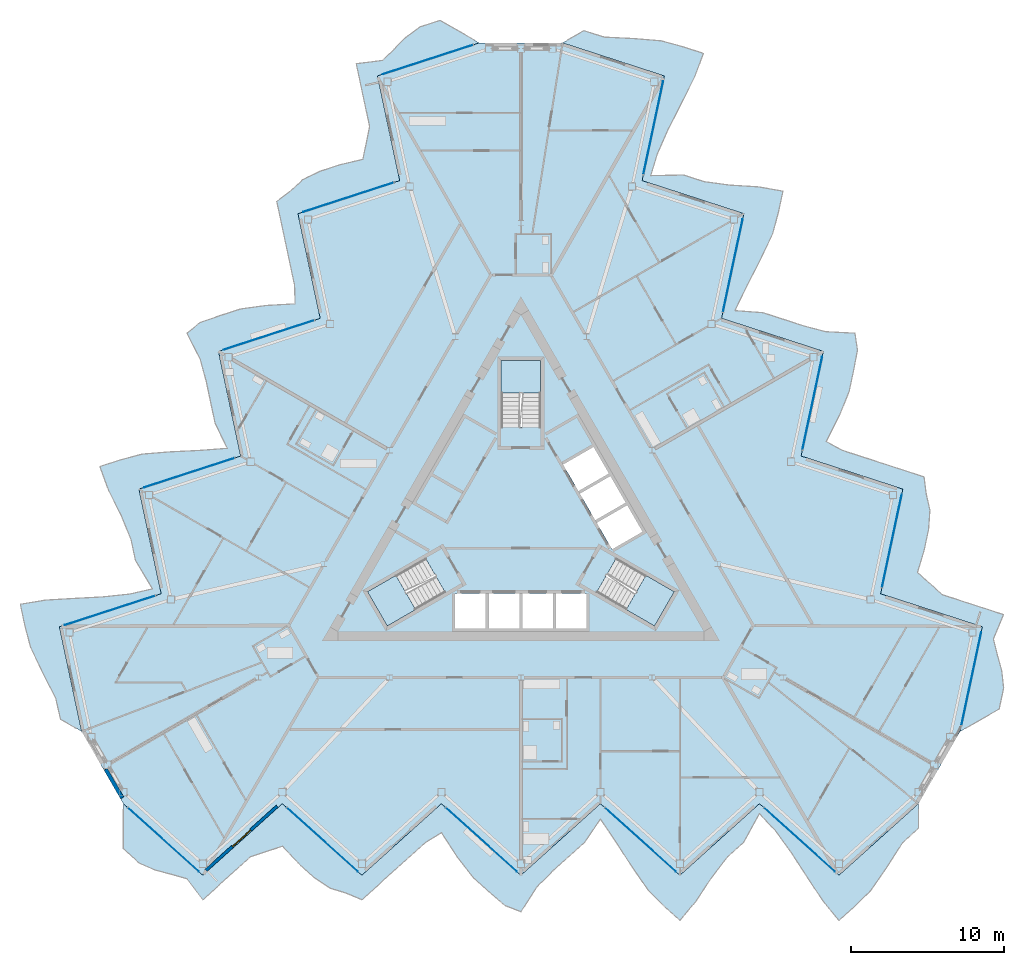
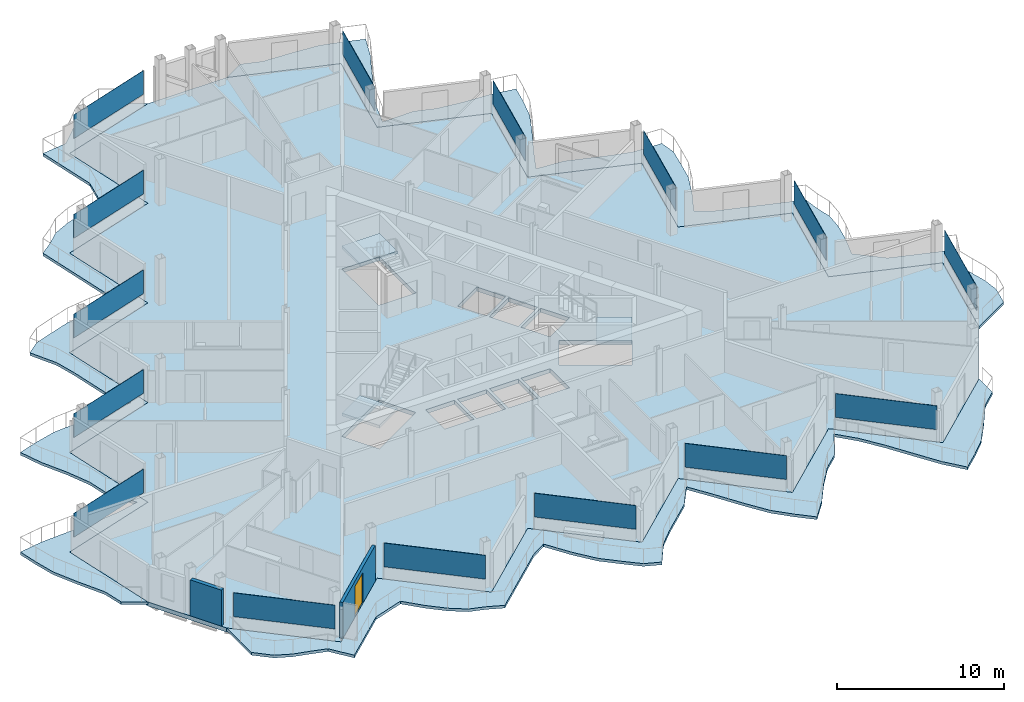
# One storey, part 11 of 26: 15 plates, 7 slabs, 2 walls, 1 door, 1 opening, 18 elements without a shape of their own.
"""IFC4 building model written with IfcOpenShell, lengths in metres."""

from ifc_helpers import new_model, si_unit, direction, frame, frame_2d, origin, origin_2d, place, context, subcontext, project, spatial, polyline, rectangle, outline, extrude, material, layer, layer_set, type_object, element, fill, aggregate, save


model = new_model("IFC4")

# Units and contexts
model_context = context("Model", 3, precision=1e-05, world=origin(), true_north=direction((0.0, 1.0)))
body_context = subcontext(model_context, "Body", "Model", "MODEL_VIEW")
ifc_project = project(units=[si_unit("LENGTHUNIT", "METRE"), si_unit("AREAUNIT", "SQUARE_METRE"), si_unit("VOLUMEUNIT", "CUBIC_METRE"), si_unit("PLANEANGLEUNIT", "RADIAN"), si_unit("MASSUNIT", "GRAM", prefix="KILO")], contexts=[model_context])

# Site, building, storey
site_placement = place(None, origin())
site = spatial("IfcSite", under=ifc_project, at=site_placement, CompositionType="ELEMENT")
building_placement = place(site_placement, origin())
building = spatial("IfcBuilding", under=site, at=building_placement, Name="Cormorant Prow Tower", CompositionType="ELEMENT")
storey_placement = place(building_placement, frame((0.0, 0.0, 367.800048828125)))
storey = spatial("IfcBuildingStorey", under=building, at=storey_placement, Name="L82", CompositionType="ELEMENT", Elevation=367.800048828125)

# Slabs
ifc_material_1 = material(Name="Concrete C40/50", Category="concrete")
ifc_layer_1 = layer(ifc_material_1, 0.199951171875)
ifc_layer_set_1 = layer_set([ifc_layer_1], Name="Concrete C40/50")
slab_type_1 = type_object("IfcSlabType", Name="Balcony slab 200", PredefinedType="FLOOR", material=ifc_layer_set_1)
slab_1_placement = place(storey_placement, frame((0.0, 0.0, -0.199951171875)))
element("IfcSlab", 1, at=slab_1_placement, inside=storey, type_object=slab_type_1, Name="Balcony slab S L82", PredefinedType="FLOOR", context=body_context, shape_type="SweptSolid", body=[
    extrude(outline(polyline([(-26.0, -18.1572265625), (-26.0, -21.107421875), (-24.9599609375, -22.043701171875), (-23.919921875, -22.498046875), (-22.8798828125, -22.769287109375), (-21.840087890625, -23.069091796875), (-20.800048828125, -24.439453125), (-19.760009765625, -23.5029296875), (-18.719970703125, -22.566650390625), (-17.679931640625, -21.630126953125), (-16.639892578125, -21.283203125), (-15.60009765625, -20.939453125), (-14.56005859375, -22.043701171875), (-13.52001953125, -22.980224609375), (-12.47998046875, -23.68115234375), (-11.43994140625, -24.002197265625), (-10.39990234375, -24.439453125), (-9.360107421875, -23.5029296875), (-8.320068359375, -22.566650390625), (-7.280029296875, -21.630126953125), (-6.239990234375, -20.69384765625), (-5.199951171875, -20.052001953125), (-4.159912109375, -21.64208984375), (-3.1201171875, -22.980224609375), (-2.080078125, -23.91650390625), (-1.0400390625, -24.818115234375), (0.0, -25.223876953125), (1.0400390625, -23.6142578125), (2.080078125, -22.566650390625), (3.1201171875, -21.630126953125), (4.159912109375, -20.69384765625), (5.199951171875, -19.167724609375), (6.239990234375, -20.69384765625), (7.280029296875, -22.308349609375), (8.320068359375, -23.811279296875), (9.360107421875, -24.85302734375), (10.39990234375, -25.78955078125), (11.43994140625, -24.54541015625), (12.47998046875, -22.974609375), (13.52001953125, -21.630126953125), (14.56005859375, -20.69384765625), (15.60009765625, -18.807373046875), (16.639892578125, -19.92236328125), (17.679931640625, -21.352783203125), (18.719970703125, -22.953369140625), (19.760009765625, -24.5283203125), (20.800048828125, -25.78955078125), (21.840087890625, -24.85302734375), (22.8798828125, -23.8251953125), (23.919921875, -22.32861328125), (24.9599609375, -20.714599609375), (26.0, -19.75732421875), (26.0, -18.1572265625), (24.9599609375, -19.09375), (23.919921875, -20.0302734375), (22.8798828125, -20.966552734375), (21.840087890625, -21.903076171875), (20.800048828125, -22.83935546875), (19.760009765625, -21.903076171875), (18.719970703125, -20.966552734375), (17.679931640625, -20.0302734375), (16.639892578125, -19.09375), (15.60009765625, -18.1572265625), (14.56005859375, -19.09375), (13.52001953125, -20.0302734375), (12.47998046875, -20.966552734375), (11.43994140625, -21.903076171875), (10.39990234375, -22.83935546875), (9.360107421875, -21.903076171875), (8.320068359375, -20.966552734375), (7.280029296875, -20.0302734375), (6.239990234375, -19.09375), (5.199951171875, -18.1572265625), (4.159912109375, -19.09375), (3.1201171875, -20.0302734375), (2.080078125, -20.966552734375), (1.0400390625, -21.903076171875), (0.0, -22.83935546875), (-1.0400390625, -21.903076171875), (-2.080078125, -20.966552734375), (-3.1201171875, -20.0302734375), (-4.159912109375, -19.09375), (-5.199951171875, -18.1572265625), (-6.239990234375, -19.09375), (-7.280029296875, -20.0302734375), (-8.320068359375, -20.966552734375), (-9.360107421875, -21.903076171875), (-10.39990234375, -22.83935546875), (-11.43994140625, -21.903076171875), (-12.47998046875, -20.966552734375), (-13.52001953125, -20.0302734375), (-14.56005859375, -19.09375), (-15.60009765625, -18.1572265625), (-16.639892578125, -19.09375), (-17.679931640625, -20.0302734375), (-18.719970703125, -20.966552734375), (-19.760009765625, -21.903076171875), (-20.800048828125, -22.83935546875), (-21.840087890625, -21.903076171875), (-22.8798828125, -20.966552734375), (-23.919921875, -20.0302734375), (-24.9599609375, -19.09375), (-26.0, -18.1572265625)])), origin(), (0.0, 0.0, 1.0), 0.199951171875),
])
slab_2_placement = place(storey_placement, frame((0.0, 0.0, -0.199951171875)))
element("IfcSlab", 2, at=slab_2_placement, inside=storey, type_object=slab_type_1, Name="Balcony slab ENE L82", PredefinedType="FLOOR", context=body_context, shape_type="SweptSolid", body=[
    extrude(outline(polyline([(28.724609375, -13.43798828125), (31.279541015625, -11.962890625), (31.570556640625, -10.593994140625), (31.44384765625, -9.46630859375), (31.158935546875, -8.429931640625), (30.8984375, -7.37939453125), (31.565185546875, -5.793701171875), (30.234130859375, -5.361083984375), (28.9033203125, -4.9287109375), (27.572265625, -4.496337890625), (26.751708984375, -3.76904296875), (25.93408203125, -3.040283203125), (26.370361328125, -1.58740234375), (26.661376953125, -0.218505859375), (26.748291015625, 1.032470703125), (26.506591796875, 2.09375), (26.365234375, 3.213134765625), (25.0341796875, 3.6455078125), (23.703369140625, 4.077880859375), (22.372314453125, 4.510498046875), (21.041259765625, 4.94287109375), (19.965576171875, 5.522705078125), (20.822509765625, 7.218505859375), (21.46142578125, 8.7880859375), (21.75244140625, 10.156982421875), (22.012939453125, 11.50830078125), (21.844482421875, 12.612060546875), (19.9306640625, 12.707763671875), (18.503173828125, 13.084716796875), (17.17236328125, 13.51708984375), (15.84130859375, 13.949462890625), (13.999755859375, 14.087158203125), (14.801513671875, 15.7509765625), (15.6796875, 17.458740234375), (16.461181640625, 19.111083984375), (16.84326171875, 20.532470703125), (17.13427734375, 21.9013671875), (15.537109375, 22.18017578125), (13.656494140625, 22.295166015625), (11.972412109375, 22.523681640625), (10.641357421875, 22.956298828125), (8.48779296875, 22.91357421875), (8.93310546875, 24.371826171875), (9.652099609375, 25.98779296875), (10.51806640625, 27.688720703125), (11.362060546875, 29.376708984375), (11.934326171875, 30.907958984375), (10.603271484375, 31.340576171875), (9.193115234375, 31.727294921875), (7.377197265625, 31.879638671875), (5.45947265625, 31.973388671875), (4.1103515625, 32.395263671875), (2.724609375, 31.59521484375), (4.0556640625, 31.162841796875), (5.38671875, 30.73046875), (6.717529296875, 30.2978515625), (8.048583984375, 29.865478515625), (9.379638671875, 29.43310546875), (9.088623046875, 28.064208984375), (8.797607421875, 26.6953125), (8.506591796875, 25.326416015625), (8.215576171875, 23.95751953125), (7.9248046875, 22.588623046875), (9.255615234375, 22.15625), (10.586669921875, 21.723876953125), (11.917724609375, 21.291259765625), (13.24853515625, 20.85888671875), (14.57958984375, 20.42626953125), (14.28857421875, 19.0576171875), (13.99755859375, 17.688720703125), (13.70654296875, 16.31982421875), (13.415771484375, 14.950927734375), (13.124755859375, 13.58203125), (14.45556640625, 13.149658203125), (15.78662109375, 12.717041015625), (17.11767578125, 12.28466796875), (18.448486328125, 11.852294921875), (19.779541015625, 11.419677734375), (19.488525390625, 10.05078125), (19.197509765625, 8.681884765625), (18.90673828125, 7.31298828125), (18.61572265625, 5.9443359375), (18.32470703125, 4.575439453125), (19.65576171875, 4.142822265625), (20.986572265625, 3.71044921875), (22.317626953125, 3.278076171875), (23.648681640625, 2.845458984375), (24.9794921875, 2.4130859375), (24.6884765625, 1.044189453125), (24.397705078125, -0.32470703125), (24.106689453125, -1.693603515625), (23.815673828125, -3.0625), (23.524658203125, -4.431396484375), (24.855712890625, -4.86376953125), (26.186767578125, -5.296142578125), (27.517578125, -5.728759765625), (28.8486328125, -6.1611328125), (30.179443359375, -6.593505859375), (29.888671875, -7.96240234375), (29.59765625, -9.331298828125), (29.306640625, -10.7001953125), (29.015625, -12.069091796875), (28.724609375, -13.43798828125)])), origin(), (0.0, 0.0, 1.0), 0.199951171875),
])
slab_3_placement = place(storey_placement, frame((0.0, 0.0, -0.199951171875)))
element("IfcSlab", 3, at=slab_3_placement, inside=storey, type_object=slab_type_1, Name="Balcony slab WNW L82", PredefinedType="FLOOR", context=body_context, shape_type="SweptSolid", body=[
    extrude(outline(polyline([(-2.724609375, 31.59521484375), (-5.279541015625, 33.0703125), (-6.6103515625, 32.637939453125), (-7.52392578125, 31.96435546875), (-8.27880859375, 31.19921875), (-9.05859375, 30.448486328125), (-10.76513671875, 30.233154296875), (-10.47412109375, 28.8642578125), (-10.183349609375, 27.495361328125), (-9.892333984375, 26.12646484375), (-10.11181640625, 25.05224609375), (-10.333984375, 23.979736328125), (-11.810546875, 23.631103515625), (-13.141357421875, 23.19873046875), (-14.268310546875, 22.6484375), (-15.066650390625, 21.908447265625), (-15.965087890625, 21.226318359375), (-15.67431640625, 19.857421875), (-15.38330078125, 18.488525390625), (-15.09228515625, 17.119873046875), (-14.80126953125, 15.7509765625), (-14.765625, 14.529296875), (-16.66259765625, 14.423828125), (-18.34130859375, 14.192138671875), (-19.67236328125, 13.759521484375), (-20.97314453125, 13.3095703125), (-21.844482421875, 12.612060546875), (-20.970703125, 10.906494140625), (-20.583251953125, 9.48193359375), (-20.292236328125, 8.113037109375), (-20.001220703125, 6.744140625), (-19.199951171875, 5.08056640625), (-21.04150390625, 4.94287109375), (-22.959716796875, 4.849609375), (-24.78125, 4.700439453125), (-26.203369140625, 4.320556640625), (-27.534423828125, 3.887939453125), (-26.97705078125, 2.365478515625), (-26.136474609375, 0.67919921875), (-25.4921875, -0.8935546875), (-25.201416015625, -2.262451171875), (-24.087646484375, -4.106201171875), (-25.5732421875, -4.449462890625), (-27.33203125, -4.635009765625), (-29.238037109375, -4.7353515625), (-31.1220703125, -4.8486328125), (-32.734375, -5.11865234375), (-32.443359375, -6.487548828125), (-32.0732421875, -7.902099609375), (-31.297119140625, -9.551025390625), (-30.41943359375, -11.2587890625), (-30.1103515625, -12.637939453125), (-28.724609375, -13.43798828125), (-29.015625, -12.069091796875), (-29.306640625, -10.7001953125), (-29.59765625, -9.331298828125), (-29.888671875, -7.96240234375), (-30.179443359375, -6.593505859375), (-28.8486328125, -6.1611328125), (-27.517578125, -5.728759765625), (-26.186767578125, -5.296142578125), (-24.855712890625, -4.86376953125), (-23.524658203125, -4.431396484375), (-23.815673828125, -3.0625), (-24.106689453125, -1.693603515625), (-24.397705078125, -0.32470703125), (-24.6884765625, 1.044189453125), (-24.9794921875, 2.4130859375), (-23.648681640625, 2.845458984375), (-22.317626953125, 3.278076171875), (-20.986572265625, 3.71044921875), (-19.65576171875, 4.142822265625), (-18.32470703125, 4.575439453125), (-18.61572265625, 5.9443359375), (-18.90673828125, 7.31298828125), (-19.197509765625, 8.681884765625), (-19.488525390625, 10.05078125), (-19.779541015625, 11.419677734375), (-18.448486328125, 11.852294921875), (-17.11767578125, 12.28466796875), (-15.78662109375, 12.717041015625), (-14.45556640625, 13.149658203125), (-13.124755859375, 13.58203125), (-13.415771484375, 14.950927734375), (-13.70654296875, 16.31982421875), (-13.99755859375, 17.688720703125), (-14.28857421875, 19.0576171875), (-14.57958984375, 20.42626953125), (-13.24853515625, 20.85888671875), (-11.917724609375, 21.291259765625), (-10.586669921875, 21.723876953125), (-9.255615234375, 22.15625), (-7.9248046875, 22.588623046875), (-8.215576171875, 23.95751953125), (-8.506591796875, 25.326416015625), (-8.797607421875, 26.6953125), (-9.088623046875, 28.064208984375), (-9.379638671875, 29.43310546875), (-8.048583984375, 29.865478515625), (-6.717529296875, 30.2978515625), (-5.38671875, 30.73046875), (-4.0556640625, 31.162841796875), (-2.724609375, 31.59521484375)])), origin(), (0.0, 0.0, 1.0), 0.199951171875),
])
ifc_material_2 = material(Name="Concrete C40/50", Category="concrete")
ifc_layer_2 = layer(ifc_material_2, 0.300048828125)
ifc_layer_set_2 = layer_set([ifc_layer_2], Name="Concrete C40/50")
slab_type_2 = type_object("IfcSlabType", Name="Post-tensioned flat slab 300", PredefinedType="FLOOR", material=ifc_layer_set_2)
slab_4_placement = place(storey_placement, frame((0.0, 0.0, -0.300048828125)))
element("IfcSlab", 4, at=slab_4_placement, inside=storey, type_object=slab_type_2, Name="Floor slab L82", PredefinedType="FLOOR", context=body_context, shape_type="SweptSolid", body=[
    extrude(outline(polyline([(-7.9248046875, 22.588623046875), (-14.57958984375, 20.42626953125), (-13.124755859375, 13.58203125), (-19.779541015625, 11.419677734375), (-18.32470703125, 4.575439453125), (-24.9794921875, 2.4130859375), (-23.524658203125, -4.431396484375), (-30.179443359375, -6.593505859375), (-28.724609375, -13.43798828125), (-27.3623046875, -15.797607421875), (-26.0, -18.1572265625), (-20.800048828125, -22.83935546875), (-15.60009765625, -18.1572265625), (-10.39990234375, -22.83935546875), (-5.199951171875, -18.1572265625), (0.0, -22.83935546875), (5.199951171875, -18.1572265625), (10.39990234375, -22.83935546875), (15.60009765625, -18.1572265625), (20.800048828125, -22.83935546875), (26.0, -18.1572265625), (27.3623046875, -15.797607421875), (28.724609375, -13.43798828125), (30.179443359375, -6.593505859375), (23.524658203125, -4.431396484375), (24.9794921875, 2.4130859375), (18.32470703125, 4.575439453125), (19.779541015625, 11.419677734375), (13.124755859375, 13.58203125), (14.57958984375, 20.42626953125), (7.9248046875, 22.588623046875), (9.379638671875, 29.43310546875), (2.724609375, 31.59521484375), (0.0, 31.59521484375), (-2.724609375, 31.59521484375), (-9.379638671875, 29.43310546875), (-7.9248046875, 22.588623046875)]), holes=[polyline([(-4.300048828125, -4.39990234375), (-2.300048828125, -4.39990234375), (-2.300048828125, -6.699951171875), (-4.300048828125, -6.699951171875), (-4.300048828125, -4.39990234375)]), polyline([(-0.10009765625, -4.39990234375), (-0.10009765625, -6.699951171875), (-2.10009765625, -6.699951171875), (-2.10009765625, -4.39990234375), (-0.10009765625, -4.39990234375)]), polyline([(2.10009765625, -6.699951171875), (0.10009765625, -6.699951171875), (0.10009765625, -4.39990234375), (2.10009765625, -4.39990234375), (2.10009765625, -6.699951171875)]), polyline([(2.300048828125, -6.699951171875), (2.300048828125, -4.39990234375), (4.300048828125, -4.39990234375), (4.300048828125, -6.699951171875), (2.300048828125, -6.699951171875)]), polyline([(5.96044921875, -1.52392578125), (4.96044921875, 0.2080078125), (6.952392578125, 1.358154296875), (7.952392578125, -0.373779296875), (5.96044921875, -1.52392578125)]), polyline([(3.860595703125, 2.11328125), (5.852294921875, 3.263427734375), (6.852294921875, 1.53125), (4.860595703125, 0.38134765625), (3.860595703125, 2.11328125)]), polyline([(4.75244140625, 5.168701171875), (5.75244140625, 3.4365234375), (3.760498046875, 2.28662109375), (2.760498046875, 4.018798828125), (4.75244140625, 5.168701171875)]), polyline([(-4.947509765625, -4.3505859375), (-8.738037109375, -6.5390625), (-10.031982421875, -4.2978515625), (-6.241455078125, -2.109375), (-4.947509765625, -4.3505859375)]), polyline([(10.031982421875, -4.2978515625), (8.738037109375, -6.5390625), (4.947509765625, -4.3505859375), (6.241455078125, -2.109375), (10.031982421875, -4.2978515625)]), polyline([(1.2939453125, 10.8369140625), (1.2939453125, 6.459716796875), (-1.2939453125, 6.459716796875), (-1.2939453125, 10.8369140625), (1.2939453125, 10.8369140625)])]), origin(), (0.0, 0.0, 1.0), 0.300048828125),
])

# Curtain wall, plate
ifc_material_3 = material(Name="Aluminium 6063-T6", Category="aluminium")
ifc_layer_3 = layer(ifc_material_3, 0.159912109375)
ifc_layer_set_3 = layer_set([ifc_layer_3], Name="Aluminium 6063-T6")
curtain_wall_type = type_object("IfcCurtainWallType", Name="Residential unitised curtain wall 160", PredefinedType="NOTDEFINED", material=ifc_layer_set_3)
curtain_wall_1_placement = place(storey_placement, origin())
curtain_wall_1 = element("IfcCurtainWall", 5, at=curtain_wall_1_placement, inside=storey, type_object=curtain_wall_type, Name="Residential curtain wall S00", PredefinedType="NOTDEFINED")
ifc_material_4 = material(Name="Clear glass", Category="glass")
ifc_layer_4 = layer(ifc_material_4, 0.02392578125)
ifc_layer_set_4 = layer_set([ifc_layer_4], Name="Clear glass")
plate_type = type_object("IfcPlateType", Name="Residential glass panel 24", PredefinedType="CURTAIN_PANEL", material=ifc_layer_set_4)
plate_1_placement = place(storey_placement, frame((-23.38134765625, -20.51513671875, 0.89990234375), z_axis=(0.0, 0.0, 1.0), x_axis=(0.743144756574, -0.669130682884, 0.0)))
plate_1 = element("IfcPlate", 6, at=plate_1_placement, type_object=plate_type, Name="Residential glass panel S00", PredefinedType="CURTAIN_PANEL", context=body_context, shape_type="SweptSolid", body=[
    extrude(rectangle(XDim=6.21533203125, YDim=0.02392578125, at=origin_2d()), origin(), (0.0, 0.0, 1.0), 1.73388671875),
])
aggregate(curtain_wall_1, [plate_1])

curtain_wall_2_placement = place(storey_placement, origin())
curtain_wall_2 = element("IfcCurtainWall", 7, at=curtain_wall_2_placement, inside=storey, type_object=curtain_wall_type, Name="Residential curtain wall S02", PredefinedType="NOTDEFINED")
plate_2_placement = place(storey_placement, frame((-12.9814453125, -20.51513671875, 0.89990234375), z_axis=(0.0, 0.0, 1.0), x_axis=(0.743144756574, -0.669130682884, 0.0)))
plate_2 = element("IfcPlate", 8, at=plate_2_placement, type_object=plate_type, Name="Residential glass panel S02", PredefinedType="CURTAIN_PANEL", context=body_context, shape_type="SweptSolid", body=[
    extrude(rectangle(XDim=6.21533203125, YDim=0.02392578125, at=origin_2d()), origin(), (0.0, 0.0, 1.0), 1.73388671875),
])
aggregate(curtain_wall_2, [plate_2])

curtain_wall_3_placement = place(storey_placement, origin())
curtain_wall_3 = element("IfcCurtainWall", 9, at=curtain_wall_3_placement, inside=storey, type_object=curtain_wall_type, Name="Residential curtain wall S04", PredefinedType="NOTDEFINED")
plate_3_placement = place(storey_placement, frame((-2.58154296875, -20.51513671875, 0.89990234375), z_axis=(0.0, 0.0, 1.0), x_axis=(0.743144756574, -0.669130682884, 0.0)))
plate_3 = element("IfcPlate", 10, at=plate_3_placement, type_object=plate_type, Name="Residential glass panel S04", PredefinedType="CURTAIN_PANEL", context=body_context, shape_type="SweptSolid", body=[
    extrude(rectangle(XDim=6.21533203125, YDim=0.02392578125, at=origin_2d()), origin(), (0.0, 0.0, 1.0), 1.73388671875),
])
aggregate(curtain_wall_3, [plate_3])

curtain_wall_4_placement = place(storey_placement, origin())
curtain_wall_4 = element("IfcCurtainWall", 11, at=curtain_wall_4_placement, inside=storey, type_object=curtain_wall_type, Name="Residential curtain wall S06", PredefinedType="NOTDEFINED")
plate_4_placement = place(storey_placement, frame((7.818603515625, -20.51513671875, 0.89990234375), z_axis=(0.0, 0.0, 1.0), x_axis=(0.743144756574, -0.669130682884, 0.0)))
plate_4 = element("IfcPlate", 12, at=plate_4_placement, type_object=plate_type, Name="Residential glass panel S06", PredefinedType="CURTAIN_PANEL", context=body_context, shape_type="SweptSolid", body=[
    extrude(rectangle(XDim=6.21533203125, YDim=0.02392578125, at=origin_2d()), origin(), (0.0, 0.0, 1.0), 1.73388671875),
])
aggregate(curtain_wall_4, [plate_4])

curtain_wall_5_placement = place(storey_placement, origin())
curtain_wall_5 = element("IfcCurtainWall", 13, at=curtain_wall_5_placement, inside=storey, type_object=curtain_wall_type, Name="Residential curtain wall S08", PredefinedType="NOTDEFINED")
plate_5_placement = place(storey_placement, frame((18.218505859375, -20.51513671875, 0.89990234375), z_axis=(0.0, 0.0, 1.0), x_axis=(0.743144756574, -0.669130682884, 0.0)))
plate_5 = element("IfcPlate", 14, at=plate_5_placement, type_object=plate_type, Name="Residential glass panel S08", PredefinedType="CURTAIN_PANEL", context=body_context, shape_type="SweptSolid", body=[
    extrude(rectangle(XDim=6.21533203125, YDim=0.02392578125, at=origin_2d()), origin(), (0.0, 0.0, 1.0), 1.73388671875),
])
aggregate(curtain_wall_5, [plate_5])

curtain_wall_6_placement = place(storey_placement, origin())
curtain_wall_6 = element("IfcCurtainWall", 15, at=curtain_wall_6_placement, inside=storey, type_object=curtain_wall_type, Name="Residential curtain wall ENE00", PredefinedType="NOTDEFINED")
plate_6_placement = place(storey_placement, frame((29.457275390625, -9.991455078125, 0.89990234375), z_axis=(0.0, 0.0, 1.0), x_axis=(0.207911756835, 0.978147586701, 0.0)))
plate_6 = element("IfcPlate", 16, at=plate_6_placement, type_object=plate_type, Name="Residential glass panel ENE00", PredefinedType="CURTAIN_PANEL", context=body_context, shape_type="SweptSolid", body=[
    extrude(rectangle(XDim=6.21533203125, YDim=0.02392578125, at=origin_2d()), origin(), (0.0, 0.0, 1.0), 1.73388671875),
])
aggregate(curtain_wall_6, [plate_6])

curtain_wall_7_placement = place(storey_placement, origin())
curtain_wall_7 = element("IfcCurtainWall", 17, at=curtain_wall_7_placement, inside=storey, type_object=curtain_wall_type, Name="Residential curtain wall ENE02", PredefinedType="NOTDEFINED")
plate_7_placement = place(storey_placement, frame((24.25732421875, -0.984619140625, 0.89990234375), z_axis=(0.0, 0.0, 1.0), x_axis=(0.207911785891, 0.978147580525, 0.0)))
plate_7 = element("IfcPlate", 18, at=plate_7_placement, type_object=plate_type, Name="Residential glass panel ENE02", PredefinedType="CURTAIN_PANEL", context=body_context, shape_type="SweptSolid", body=[
    extrude(rectangle(XDim=6.21533203125, YDim=0.02392578125, at=origin_2d()), origin(), (0.0, 0.0, 1.0), 1.73388671875),
])
aggregate(curtain_wall_7, [plate_7])

curtain_wall_8_placement = place(storey_placement, origin())
curtain_wall_8 = element("IfcCurtainWall", 19, at=curtain_wall_8_placement, inside=storey, type_object=curtain_wall_type, Name="Residential curtain wall ENE04", PredefinedType="NOTDEFINED")
plate_8_placement = place(storey_placement, frame((19.057373046875, 8.02197265625, 0.89990234375), z_axis=(0.0, 0.0, 1.0), x_axis=(0.207911756835, 0.978147586701, 0.0)))
plate_8 = element("IfcPlate", 20, at=plate_8_placement, type_object=plate_type, Name="Residential glass panel ENE04", PredefinedType="CURTAIN_PANEL", context=body_context, shape_type="SweptSolid", body=[
    extrude(rectangle(XDim=6.21533203125, YDim=0.02392578125, at=origin_2d()), origin(), (0.0, 0.0, 1.0), 1.73388671875),
])
aggregate(curtain_wall_8, [plate_8])

curtain_wall_9_placement = place(storey_placement, origin())
curtain_wall_9 = element("IfcCurtainWall", 21, at=curtain_wall_9_placement, inside=storey, type_object=curtain_wall_type, Name="Residential curtain wall ENE06", PredefinedType="NOTDEFINED")
plate_9_placement = place(storey_placement, frame((13.857421875, 17.028564453125, 0.89990234375), z_axis=(0.0, 0.0, 1.0), x_axis=(0.207911756835, 0.978147586701, 0.0)))
plate_9 = element("IfcPlate", 22, at=plate_9_placement, type_object=plate_type, Name="Residential glass panel ENE06", PredefinedType="CURTAIN_PANEL", context=body_context, shape_type="SweptSolid", body=[
    extrude(rectangle(XDim=6.21533203125, YDim=0.02392578125, at=origin_2d()), origin(), (0.0, 0.0, 1.0), 1.73388671875),
])
aggregate(curtain_wall_9, [plate_9])

curtain_wall_10_placement = place(storey_placement, origin())
curtain_wall_10 = element("IfcCurtainWall", 23, at=curtain_wall_10_placement, inside=storey, type_object=curtain_wall_type, Name="Residential curtain wall ENE08", PredefinedType="NOTDEFINED")
plate_10_placement = place(storey_placement, frame((8.6572265625, 26.035400390625, 0.89990234375), z_axis=(0.0, 0.0, 1.0), x_axis=(0.207911756835, 0.978147586701, 0.0)))
plate_10 = element("IfcPlate", 24, at=plate_10_placement, type_object=plate_type, Name="Residential glass panel ENE08", PredefinedType="CURTAIN_PANEL", context=body_context, shape_type="SweptSolid", body=[
    extrude(rectangle(XDim=6.21533203125, YDim=0.02392578125, at=origin_2d()), origin(), (0.0, 0.0, 1.0), 1.73388671875),
])
aggregate(curtain_wall_10, [plate_10])

curtain_wall_11_placement = place(storey_placement, origin())
curtain_wall_11 = element("IfcCurtainWall", 25, at=curtain_wall_11_placement, inside=storey, type_object=curtain_wall_type, Name="Residential curtain wall WNW00", PredefinedType="NOTDEFINED")
plate_11_placement = place(storey_placement, frame((-6.075927734375, 30.50634765625, 0.89990234375), z_axis=(0.0, 0.0, 1.0), x_axis=(-0.951056548553, -0.309016895096, 0.0)))
plate_11 = element("IfcPlate", 26, at=plate_11_placement, type_object=plate_type, Name="Residential glass panel WNW00", PredefinedType="CURTAIN_PANEL", context=body_context, shape_type="SweptSolid", body=[
    extrude(rectangle(XDim=6.21533203125, YDim=0.02392578125, at=origin_2d()), origin(), (0.0, 0.0, 1.0), 1.73388671875),
])
aggregate(curtain_wall_11, [plate_11])

curtain_wall_12_placement = place(storey_placement, origin())
curtain_wall_12 = element("IfcCurtainWall", 27, at=curtain_wall_12_placement, inside=storey, type_object=curtain_wall_type, Name="Residential curtain wall WNW02", PredefinedType="NOTDEFINED")
plate_12_placement = place(storey_placement, frame((-11.27587890625, 21.499755859375, 0.89990234375), z_axis=(0.0, 0.0, 1.0), x_axis=(-0.951056506549, -0.309017024369, 0.0)))
plate_12 = element("IfcPlate", 28, at=plate_12_placement, type_object=plate_type, Name="Residential glass panel WNW02", PredefinedType="CURTAIN_PANEL", context=body_context, shape_type="SweptSolid", body=[
    extrude(rectangle(XDim=6.21533203125, YDim=0.02392578125, at=origin_2d()), origin(), (0.0, 0.0, 1.0), 1.73388671875),
])
aggregate(curtain_wall_12, [plate_12])

curtain_wall_13_placement = place(storey_placement, origin())
curtain_wall_13 = element("IfcCurtainWall", 29, at=curtain_wall_13_placement, inside=storey, type_object=curtain_wall_type, Name="Residential curtain wall WNW04", PredefinedType="NOTDEFINED")
plate_13_placement = place(storey_placement, frame((-16.475830078125, 12.4931640625, 0.89990234375), z_axis=(0.0, 0.0, 1.0), x_axis=(-0.951056548553, -0.309016895096, 0.0)))
plate_13 = element("IfcPlate", 30, at=plate_13_placement, type_object=plate_type, Name="Residential glass panel WNW04", PredefinedType="CURTAIN_PANEL", context=body_context, shape_type="SweptSolid", body=[
    extrude(rectangle(XDim=6.21533203125, YDim=0.02392578125, at=origin_2d()), origin(), (0.0, 0.0, 1.0), 1.73388671875),
])
aggregate(curtain_wall_13, [plate_13])

curtain_wall_14_placement = place(storey_placement, origin())
curtain_wall_14 = element("IfcCurtainWall", 31, at=curtain_wall_14_placement, inside=storey, type_object=curtain_wall_type, Name="Residential curtain wall WNW06", PredefinedType="NOTDEFINED")
plate_14_placement = place(storey_placement, frame((-21.676025390625, 3.486572265625, 0.89990234375), z_axis=(0.0, 0.0, 1.0), x_axis=(-0.951056506549, -0.309017024369, 0.0)))
plate_14 = element("IfcPlate", 32, at=plate_14_placement, type_object=plate_type, Name="Residential glass panel WNW06", PredefinedType="CURTAIN_PANEL", context=body_context, shape_type="SweptSolid", body=[
    extrude(rectangle(XDim=6.21533203125, YDim=0.02392578125, at=origin_2d()), origin(), (0.0, 0.0, 1.0), 1.73388671875),
])
aggregate(curtain_wall_14, [plate_14])

curtain_wall_15_placement = place(storey_placement, origin())
curtain_wall_15 = element("IfcCurtainWall", 33, at=curtain_wall_15_placement, inside=storey, type_object=curtain_wall_type, Name="Residential curtain wall WNW08", PredefinedType="NOTDEFINED")
plate_15_placement = place(storey_placement, frame((-26.8759765625, -5.520263671875, 0.89990234375), z_axis=(0.0, 0.0, 1.0), x_axis=(-0.951056506549, -0.309017024369, 0.0)))
plate_15 = element("IfcPlate", 34, at=plate_15_placement, type_object=plate_type, Name="Residential glass panel WNW08", PredefinedType="CURTAIN_PANEL", context=body_context, shape_type="SweptSolid", body=[
    extrude(rectangle(XDim=6.21533203125, YDim=0.02392578125, at=origin_2d()), origin(), (0.0, 0.0, 1.0), 1.73388671875),
])
aggregate(curtain_wall_15, [plate_15])

# Stair, slab
ifc_material_5 = material(Name="Exit stair 18 risers")
stair_type = type_object("IfcStairType", Name="Exit stair 18 risers", PredefinedType="HALF_TURN_STAIR", material=ifc_material_5)
stair_1_placement = place(storey_placement, origin())
stair_1 = element("IfcStair", 35, at=stair_1_placement, inside=storey, type_object=stair_type, Name="L82 Exit stair ST1", PredefinedType="HALF_TURN_STAIR")
ifc_material_6 = material(Name="Concrete 5000 psi", Category="concrete")
ifc_layer_5 = layer(ifc_material_6, 0.199951171875)
ifc_layer_set_5 = layer_set([ifc_layer_5], Name="Concrete 5000 psi")
slab_type_3 = type_object("IfcSlabType", Name="Stair landing 200", PredefinedType="LANDING", material=ifc_layer_set_5)
slab_5_placement = place(storey_placement, frame((0.0, 0.0, 1.5)))
slab_5 = element("IfcSlab", 36, at=slab_5_placement, type_object=slab_type_3, Name="ST1 landing 1", PredefinedType="LANDING", context=body_context, shape_type="SweptSolid", body=[
    extrude(outline(polyline([(-8.17431640625, -3.225341796875), (-10.031982421875, -4.2978515625), (-8.738037109375, -6.5390625), (-6.88037109375, -5.466552734375), (-8.17431640625, -3.225341796875)])), origin(), (0.0, 0.0, 1.0), 0.199951171875),
])
aggregate(stair_1, [slab_5])

stair_2_placement = place(storey_placement, origin())
stair_2 = element("IfcStair", 37, at=stair_2_placement, inside=storey, type_object=stair_type, Name="L82 Exit stair ST2", PredefinedType="HALF_TURN_STAIR")
slab_6_placement = place(storey_placement, frame((0.0, 0.0, 1.5)))
slab_6 = element("IfcSlab", 38, at=slab_6_placement, type_object=slab_type_3, Name="ST2 landing 1", PredefinedType="LANDING", context=body_context, shape_type="SweptSolid", body=[
    extrude(outline(polyline([(6.88037109375, -5.466552734375), (8.738037109375, -6.5390625), (10.031982421875, -4.2978515625), (8.17431640625, -3.225341796875), (6.88037109375, -5.466552734375)])), origin(), (0.0, 0.0, 1.0), 0.199951171875),
])
aggregate(stair_2, [slab_6])

stair_3_placement = place(storey_placement, origin())
stair_3 = element("IfcStair", 39, at=stair_3_placement, inside=storey, type_object=stair_type, Name="L82 Exit stair ST3", PredefinedType="HALF_TURN_STAIR")
slab_7_placement = place(storey_placement, frame((0.0, 0.0, 1.5)))
slab_7 = element("IfcSlab", 40, at=slab_7_placement, type_object=slab_type_3, Name="ST3 landing 1", PredefinedType="LANDING", context=body_context, shape_type="SweptSolid", body=[
    extrude(outline(polyline([(1.2939453125, 8.69189453125), (1.2939453125, 10.8369140625), (-1.2939453125, 10.8369140625), (-1.2939453125, 8.69189453125), (1.2939453125, 8.69189453125)])), origin(), (0.0, 0.0, 1.0), 0.199951171875),
])
aggregate(stair_3, [slab_7])

# Wall
ifc_material_7 = material(Name="Terracotta", Category="masonry")
ifc_layer_6 = layer(ifc_material_7, 0.25)
ifc_layer_set_6 = layer_set([ifc_layer_6], Name="Terracotta")
wall_type_1 = type_object("IfcWallType", Name="Terracotta bay wall 250", PredefinedType="SOLIDWALL", material=ifc_layer_set_6)
wall_1_placement = place(storey_placement, frame((-27.1533203125, -15.90966796875, 0.0), z_axis=(0.0, 0.0, 1.0), x_axis=(0.50000982419, -0.866019731711, 0.0)))
element("IfcWall", 41, at=wall_1_placement, inside=storey, type_object=wall_type_1, Name="Terracotta bay wall WSW01", PredefinedType="SOLIDWALL", context=body_context, shape_type="SweptSolid", body=[
    extrude(rectangle(XDim=2.1572265625, YDim=0.25, at=frame_2d((1.07861328125, 0.0))), origin(), (0.0, 0.0, 1.0), 2.6337890625),
])

# Wall, opening, door
ifc_material_8 = material(Name="Terracotta", Category="masonry")
ifc_layer_7 = layer(ifc_material_8, 0.199951171875)
ifc_layer_set_7 = layer_set([ifc_layer_7], Name="Terracotta")
wall_type_2 = type_object("IfcWallType", Name="Terracotta jamb wall 200", PredefinedType="SOLIDWALL", material=ifc_layer_set_7)
wall_2_placement = place(storey_placement, frame((-20.594970703125, -22.520263671875, 0.0), z_axis=(0.0, 0.0, 1.0), x_axis=(0.743137181878, 0.669139095339, 0.0)))
wall_2 = element("IfcWall", 42, at=wall_2_placement, inside=storey, type_object=wall_type_2, Name="Terracotta jamb wall S01", PredefinedType="SOLIDWALL", context=body_context, shape_type="SweptSolid", body=[
    extrude(rectangle(XDim=6.265380859375, YDim=0.199951171875, at=frame_2d((3.1328125, 0.0))), origin(), (0.0, 0.0, 1.0), 2.6337890625),
])
opening_placement = place(wall_2_placement, frame((2.332763671875, 0.0, 0.0)))
opening = element("IfcOpeningElement", 43, at=opening_placement, cuts=wall_2, Name="Opening ED82.01", PredefinedType="OPENING", context=body_context, shape_type="SweptSolid", body=[
    extrude(rectangle(XDim=1.60009765625, YDim=2.25, at=frame_2d((0.800048828125, 1.125))), frame((0.0, 0.10986328125, 0.0), z_axis=(0.0, -1.0, 0.0), x_axis=(1.0, 0.0, 0.0)), (0.0, 0.0, 1.0), 0.219970703125),
])
ifc_material_9 = material(Name="Aluminium 6063-T6", Category="aluminium")
door_type = type_object("IfcDoorType", Name="Balcony door 1600x2250", OperationType="DOUBLE_DOOR_SINGLE_SWING", PredefinedType="DOOR", material=ifc_material_9)
door_placement = place(opening_placement, origin())
door = element("IfcDoor", 44, at=door_placement, inside=storey, type_object=door_type, Name="Balcony door S01 ED82.01", OperationType="DOUBLE_DOOR_SINGLE_SWING", OverallHeight=2.25, OverallWidth=1.60009765625, PredefinedType="DOOR", context=body_context, shape_type="SweptSolid", body=[
    extrude(rectangle(XDim=1.60009765625, YDim=2.25, at=frame_2d((0.800048828125, 1.125))), frame((0.0, 0.02490234375, 0.0), z_axis=(0.0, -1.0, 0.0), x_axis=(1.0, 0.0, 0.0)), (0.0, 0.0, 1.0), 0.050048828125),
])
fill(opening, door)

save(model, "model.ifc")
